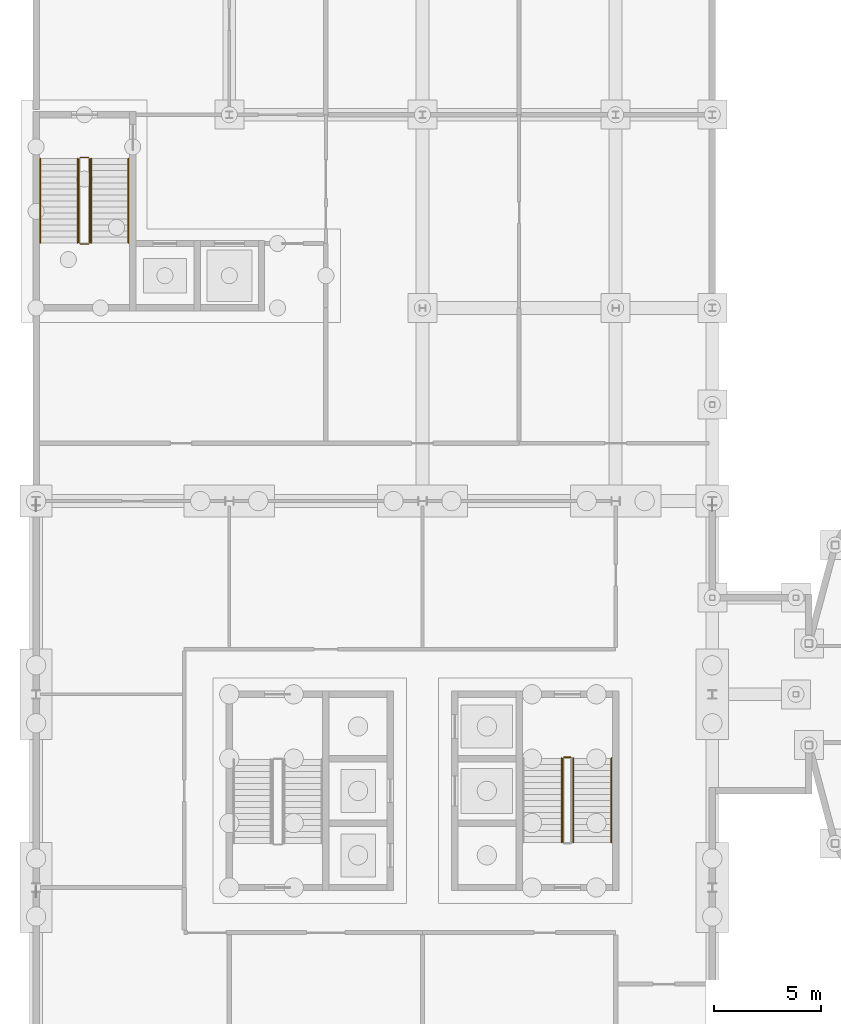
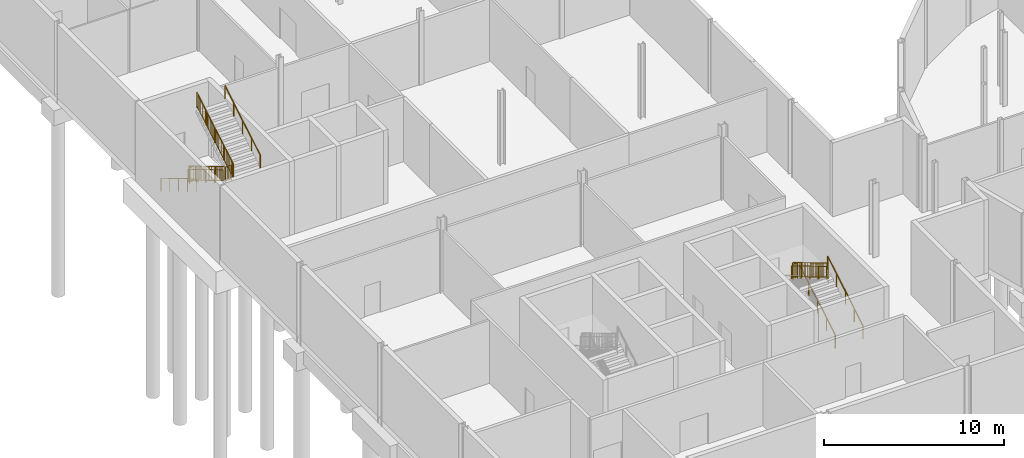
# One storey, part 22 of 25: 13 railings.
"""IFC4 building model written with IfcOpenShell, lengths in metres."""

from ifc_helpers import new_model, si_unit, direction, frame, origin, origin_2d, place, context, subcontext, project, spatial, circle, extrude, material, type_object, element, save


model = new_model("IFC4")

# Units and contexts
model_context = context("Model", 3, precision=1e-05, world=origin(), true_north=direction((0.0, 1.0)))
body_context = subcontext(model_context, "Body", "Model", "MODEL_VIEW")
ifc_project = project(units=[si_unit("LENGTHUNIT", "METRE"), si_unit("AREAUNIT", "SQUARE_METRE"), si_unit("VOLUMEUNIT", "CUBIC_METRE"), si_unit("PLANEANGLEUNIT", "RADIAN"), si_unit("MASSUNIT", "GRAM", prefix="KILO")], contexts=[model_context])

# Site, building, storey
site_placement = place(None, origin())
site = spatial("IfcSite", under=ifc_project, at=site_placement, CompositionType="ELEMENT")
building_placement = place(site_placement, origin())
building = spatial("IfcBuilding", under=site, at=building_placement, Name="Hortulan Conservatory and Botanical Research Centre", CompositionType="ELEMENT")
storey_placement = place(building_placement, frame((0.0, 0.0, -5.0)))
storey = spatial("IfcBuildingStorey", under=building, at=storey_placement, Name="B1", CompositionType="ELEMENT", Elevation=-5.0)

# Railings
ifc_material_1 = material(Name="Steel balustrade, bronze-charcoal paint", Category="steel")
railing_type_1 = type_object("IfcRailingType", Name="Stair Guard 1100", PredefinedType="GUARDRAIL", material=ifc_material_1)
railing_1_placement = place(storey_placement, frame((24.89990234375, 15.070068359375, 2.5)))
element("IfcRailing", 1, at=railing_1_placement, inside=storey, type_object=railing_type_1, Name="Guard T2 B1 stair 2", PredefinedType="GUARDRAIL", context=body_context, shape_type="SweptSolid", body=[
    extrude(circle(Radius=0.02392578125, at=origin_2d()), frame((0.0, 0.0, 1.076171875), z_axis=(-1.0, 0.0, 0.0), x_axis=(0.0, -1.0, 0.0)), (0.0, 0.0, 1.0), 0.2998046875),
    extrude(circle(Radius=0.02392578125, at=origin_2d()), frame((0.0, 0.0, 0.1240234375), z_axis=(-1.0, 0.0, 0.0), x_axis=(0.0, -1.0, 0.0)), (0.0, 0.0, 1.0), 0.2998046875),
    extrude(circle(Radius=0.008056640625, at=origin_2d()), frame((-0.099853515625, 0.0, 0.148193359375)), (0.0, 0.0, 1.0), 0.90380859375),
    extrude(circle(Radius=0.008056640625, at=origin_2d()), frame((-0.199951171875, 0.0, 0.148193359375)), (0.0, 0.0, 1.0), 0.90380859375),
    extrude(circle(Radius=0.02099609375, at=origin_2d()), origin(), (0.0, 0.0, 1.0), 1.052001953125),
    extrude(circle(Radius=0.02099609375, at=origin_2d()), frame((-0.2998046875, 0.0, 0.0)), (0.0, 0.0, 1.0), 1.052001953125),
])
railing_2_placement = place(storey_placement, frame((24.550048828125, 15.02001953125, 2.666748046875)))
element("IfcRailing", 2, at=railing_2_placement, inside=storey, type_object=railing_type_1, Name="Guard T2 B1 stair 3", PredefinedType="GUARDRAIL", context=body_context, shape_type="SweptSolid", body=[
    extrude(circle(Radius=0.02392578125, at=origin_2d()), frame((0.0, 0.0, 1.076171875), z_axis=(0.0, -0.859296244711, 0.511478214419), x_axis=(1.0, 0.0, 0.0)), (0.0, 0.0, 1.0), 4.561767578125),
    extrude(circle(Radius=0.02392578125, at=origin_2d()), frame((0.0, 0.0, 0.1240234375), z_axis=(0.0, -0.859296244711, 0.511478214419), x_axis=(1.0, 0.0, 0.0)), (0.0, 0.0, 1.0), 4.561767578125),
    extrude(circle(Radius=0.008056640625, at=origin_2d()), frame((0.0, -0.09326171875, 0.203857421875)), (0.0, 0.0, 1.0), 0.90380859375),
    extrude(circle(Radius=0.008056640625, at=origin_2d()), frame((0.0, -0.186767578125, 0.25927734375)), (0.0, 0.0, 1.0), 0.90380859375),
    extrude(circle(Radius=0.008056640625, at=origin_2d()), frame((0.0, -0.280029296875, 0.31494140625)), (0.0, 0.0, 1.0), 0.90380859375),
    extrude(circle(Radius=0.008056640625, at=origin_2d()), frame((0.0, -0.373291015625, 0.370361328125)), (0.0, 0.0, 1.0), 0.90380859375),
    extrude(circle(Radius=0.008056640625, at=origin_2d()), frame((0.0, -0.466552734375, 0.426025390625)), (0.0, 0.0, 1.0), 0.90380859375),
    extrude(circle(Radius=0.008056640625, at=origin_2d()), frame((0.0, -0.56005859375, 0.4814453125)), (0.0, 0.0, 1.0), 0.90380859375),
    extrude(circle(Radius=0.008056640625, at=origin_2d()), frame((0.0, -0.6533203125, 0.537109375)), (0.0, 0.0, 1.0), 0.90380859375),
    extrude(circle(Radius=0.008056640625, at=origin_2d()), frame((0.0, -0.74658203125, 0.592529296875)), (0.0, 0.0, 1.0), 0.90380859375),
    extrude(circle(Radius=0.008056640625, at=origin_2d()), frame((0.0, -0.840087890625, 0.648193359375)), (0.0, 0.0, 1.0), 0.90380859375),
    extrude(circle(Radius=0.008056640625, at=origin_2d()), frame((0.0, -0.933349609375, 0.70361328125)), (0.0, 0.0, 1.0), 0.90380859375),
    extrude(circle(Radius=0.008056640625, at=origin_2d()), frame((0.0, -1.026611328125, 0.75927734375)), (0.0, 0.0, 1.0), 0.90380859375),
    extrude(circle(Radius=0.008056640625, at=origin_2d()), frame((0.0, -1.119873046875, 0.81494140625)), (0.0, 0.0, 1.0), 0.90380859375),
    extrude(circle(Radius=0.008056640625, at=origin_2d()), frame((0.0, -1.21337890625, 0.870361328125)), (0.0, 0.0, 1.0), 0.90380859375),
    extrude(circle(Radius=0.008056640625, at=origin_2d()), frame((0.0, -1.306640625, 0.926025390625)), (0.0, 0.0, 1.0), 0.90380859375),
    extrude(circle(Radius=0.008056640625, at=origin_2d()), frame((0.0, -1.39990234375, 0.9814453125)), (0.0, 0.0, 1.0), 0.90380859375),
    extrude(circle(Radius=0.008056640625, at=origin_2d()), frame((0.0, -1.493408203125, 1.037109375)), (0.0, 0.0, 1.0), 0.90380859375),
    extrude(circle(Radius=0.008056640625, at=origin_2d()), frame((0.0, -1.586669921875, 1.092529296875)), (0.0, 0.0, 1.0), 0.90380859375),
    extrude(circle(Radius=0.008056640625, at=origin_2d()), frame((0.0, -1.679931640625, 1.148193359375)), (0.0, 0.0, 1.0), 0.90380859375),
    extrude(circle(Radius=0.008056640625, at=origin_2d()), frame((0.0, -1.773193359375, 1.20361328125)), (0.0, 0.0, 1.0), 0.90380859375),
    extrude(circle(Radius=0.008056640625, at=origin_2d()), frame((0.0, -1.86669921875, 1.25927734375)), (0.0, 0.0, 1.0), 0.90380859375),
    extrude(circle(Radius=0.008056640625, at=origin_2d()), frame((0.0, -1.9599609375, 1.31494140625)), (0.0, 0.0, 1.0), 0.90380859375),
    extrude(circle(Radius=0.008056640625, at=origin_2d()), frame((0.0, -2.05322265625, 1.370361328125)), (0.0, 0.0, 1.0), 0.90380859375),
    extrude(circle(Radius=0.008056640625, at=origin_2d()), frame((0.0, -2.146728515625, 1.426025390625)), (0.0, 0.0, 1.0), 0.90380859375),
    extrude(circle(Radius=0.008056640625, at=origin_2d()), frame((0.0, -2.239990234375, 1.4814453125)), (0.0, 0.0, 1.0), 0.90380859375),
    extrude(circle(Radius=0.008056640625, at=origin_2d()), frame((0.0, -2.333251953125, 1.537109375)), (0.0, 0.0, 1.0), 0.90380859375),
    extrude(circle(Radius=0.008056640625, at=origin_2d()), frame((0.0, -2.426513671875, 1.592529296875)), (0.0, 0.0, 1.0), 0.90380859375),
    extrude(circle(Radius=0.008056640625, at=origin_2d()), frame((0.0, -2.52001953125, 1.648193359375)), (0.0, 0.0, 1.0), 0.90380859375),
    extrude(circle(Radius=0.008056640625, at=origin_2d()), frame((0.0, -2.61328125, 1.70361328125)), (0.0, 0.0, 1.0), 0.90380859375),
    extrude(circle(Radius=0.008056640625, at=origin_2d()), frame((0.0, -2.70654296875, 1.75927734375)), (0.0, 0.0, 1.0), 0.90380859375),
    extrude(circle(Radius=0.008056640625, at=origin_2d()), frame((0.0, -2.800048828125, 1.814697265625)), (0.0, 0.0, 1.0), 0.90380859375),
    extrude(circle(Radius=0.008056640625, at=origin_2d()), frame((0.0, -2.893310546875, 1.870361328125)), (0.0, 0.0, 1.0), 0.90380859375),
    extrude(circle(Radius=0.008056640625, at=origin_2d()), frame((0.0, -2.986572265625, 1.926025390625)), (0.0, 0.0, 1.0), 0.90380859375),
    extrude(circle(Radius=0.008056640625, at=origin_2d()), frame((0.0, -3.079833984375, 1.9814453125)), (0.0, 0.0, 1.0), 0.90380859375),
    extrude(circle(Radius=0.008056640625, at=origin_2d()), frame((0.0, -3.17333984375, 2.037109375)), (0.0, 0.0, 1.0), 0.90380859375),
    extrude(circle(Radius=0.008056640625, at=origin_2d()), frame((0.0, -3.2666015625, 2.092529296875)), (0.0, 0.0, 1.0), 0.90380859375),
    extrude(circle(Radius=0.008056640625, at=origin_2d()), frame((0.0, -3.35986328125, 2.148193359375)), (0.0, 0.0, 1.0), 0.90380859375),
    extrude(circle(Radius=0.008056640625, at=origin_2d()), frame((0.0, -3.453369140625, 2.20361328125)), (0.0, 0.0, 1.0), 0.90380859375),
    extrude(circle(Radius=0.008056640625, at=origin_2d()), frame((0.0, -3.546630859375, 2.25927734375)), (0.0, 0.0, 1.0), 0.90380859375),
    extrude(circle(Radius=0.008056640625, at=origin_2d()), frame((0.0, -3.639892578125, 2.314697265625)), (0.0, 0.0, 1.0), 0.90380859375),
    extrude(circle(Radius=0.008056640625, at=origin_2d()), frame((0.0, -3.733154296875, 2.370361328125)), (0.0, 0.0, 1.0), 0.90380859375),
    extrude(circle(Radius=0.008056640625, at=origin_2d()), frame((0.0, -3.82666015625, 2.42578125)), (0.0, 0.0, 1.0), 0.90380859375),
    extrude(circle(Radius=0.02099609375, at=origin_2d()), origin(), (0.0, 0.0, 1.0), 1.052001953125),
    extrude(circle(Radius=0.02099609375, at=origin_2d()), frame((0.0, -0.97998046875, 0.583251953125)), (0.0, 0.0, 1.0), 1.052001953125),
    extrude(circle(Radius=0.02099609375, at=origin_2d()), frame((0.0, -1.9599609375, 1.16650390625)), (0.0, 0.0, 1.0), 1.052001953125),
    extrude(circle(Radius=0.02099609375, at=origin_2d()), frame((0.0, -2.93994140625, 1.75)), (0.0, 0.0, 1.0), 1.052001953125),
    extrude(circle(Radius=0.02099609375, at=origin_2d()), frame((0.0, -3.919921875, 2.333251953125)), (0.0, 0.0, 1.0), 1.052001953125),
])
railing_3_placement = place(storey_placement, frame((2.0, 42.949951171875, 0.166748046875)))
element("IfcRailing", 3, at=railing_3_placement, inside=storey, type_object=railing_type_1, Name="Guard V1 B1 stair 1", PredefinedType="GUARDRAIL", context=body_context, shape_type="SweptSolid", body=[
    extrude(circle(Radius=0.02392578125, at=origin_2d()), frame((0.0, 0.0, 1.076171875), z_axis=(0.0, -0.859296244711, 0.511478214419), x_axis=(1.0, 0.0, 0.0)), (0.0, 0.0, 1.0), 4.561767578125),
    extrude(circle(Radius=0.02392578125, at=origin_2d()), frame((0.0, 0.0, 0.1240234375), z_axis=(0.0, -0.859296244711, 0.511478214419), x_axis=(1.0, 0.0, 0.0)), (0.0, 0.0, 1.0), 4.561767578125),
    extrude(circle(Radius=0.008056640625, at=origin_2d()), frame((0.0, -0.09326171875, 0.203857421875)), (0.0, 0.0, 1.0), 0.90380859375),
    extrude(circle(Radius=0.008056640625, at=origin_2d()), frame((0.0, -0.186767578125, 0.25927734375)), (0.0, 0.0, 1.0), 0.90380859375),
    extrude(circle(Radius=0.008056640625, at=origin_2d()), frame((0.0, -0.280029296875, 0.31494140625)), (0.0, 0.0, 1.0), 0.90380859375),
    extrude(circle(Radius=0.008056640625, at=origin_2d()), frame((0.0, -0.373291015625, 0.370361328125)), (0.0, 0.0, 1.0), 0.90380859375),
    extrude(circle(Radius=0.008056640625, at=origin_2d()), frame((0.0, -0.466552734375, 0.426025390625)), (0.0, 0.0, 1.0), 0.90380859375),
    extrude(circle(Radius=0.008056640625, at=origin_2d()), frame((0.0, -0.56005859375, 0.4814453125)), (0.0, 0.0, 1.0), 0.90380859375),
    extrude(circle(Radius=0.008056640625, at=origin_2d()), frame((0.0, -0.6533203125, 0.537109375)), (0.0, 0.0, 1.0), 0.90380859375),
    extrude(circle(Radius=0.008056640625, at=origin_2d()), frame((0.0, -0.74658203125, 0.592529296875)), (0.0, 0.0, 1.0), 0.90380859375),
    extrude(circle(Radius=0.008056640625, at=origin_2d()), frame((0.0, -0.840087890625, 0.648193359375)), (0.0, 0.0, 1.0), 0.90380859375),
    extrude(circle(Radius=0.008056640625, at=origin_2d()), frame((0.0, -0.933349609375, 0.70361328125)), (0.0, 0.0, 1.0), 0.90380859375),
    extrude(circle(Radius=0.008056640625, at=origin_2d()), frame((0.0, -1.026611328125, 0.75927734375)), (0.0, 0.0, 1.0), 0.90380859375),
    extrude(circle(Radius=0.008056640625, at=origin_2d()), frame((0.0, -1.119873046875, 0.81494140625)), (0.0, 0.0, 1.0), 0.90380859375),
    extrude(circle(Radius=0.008056640625, at=origin_2d()), frame((0.0, -1.21337890625, 0.870361328125)), (0.0, 0.0, 1.0), 0.90380859375),
    extrude(circle(Radius=0.008056640625, at=origin_2d()), frame((0.0, -1.306640625, 0.926025390625)), (0.0, 0.0, 1.0), 0.90380859375),
    extrude(circle(Radius=0.008056640625, at=origin_2d()), frame((0.0, -1.39990234375, 0.9814453125)), (0.0, 0.0, 1.0), 0.90380859375),
    extrude(circle(Radius=0.008056640625, at=origin_2d()), frame((0.0, -1.493408203125, 1.037109375)), (0.0, 0.0, 1.0), 0.90380859375),
    extrude(circle(Radius=0.008056640625, at=origin_2d()), frame((0.0, -1.586669921875, 1.092529296875)), (0.0, 0.0, 1.0), 0.90380859375),
    extrude(circle(Radius=0.008056640625, at=origin_2d()), frame((0.0, -1.679931640625, 1.148193359375)), (0.0, 0.0, 1.0), 0.90380859375),
    extrude(circle(Radius=0.008056640625, at=origin_2d()), frame((0.0, -1.773193359375, 1.20361328125)), (0.0, 0.0, 1.0), 0.90380859375),
    extrude(circle(Radius=0.008056640625, at=origin_2d()), frame((0.0, -1.86669921875, 1.25927734375)), (0.0, 0.0, 1.0), 0.90380859375),
    extrude(circle(Radius=0.008056640625, at=origin_2d()), frame((0.0, -1.9599609375, 1.31494140625)), (0.0, 0.0, 1.0), 0.90380859375),
    extrude(circle(Radius=0.008056640625, at=origin_2d()), frame((0.0, -2.05322265625, 1.370361328125)), (0.0, 0.0, 1.0), 0.90380859375),
    extrude(circle(Radius=0.008056640625, at=origin_2d()), frame((0.0, -2.146728515625, 1.426025390625)), (0.0, 0.0, 1.0), 0.90380859375),
    extrude(circle(Radius=0.008056640625, at=origin_2d()), frame((0.0, -2.239990234375, 1.4814453125)), (0.0, 0.0, 1.0), 0.90380859375),
    extrude(circle(Radius=0.008056640625, at=origin_2d()), frame((0.0, -2.333251953125, 1.537109375)), (0.0, 0.0, 1.0), 0.90380859375),
    extrude(circle(Radius=0.008056640625, at=origin_2d()), frame((0.0, -2.426513671875, 1.592529296875)), (0.0, 0.0, 1.0), 0.90380859375),
    extrude(circle(Radius=0.008056640625, at=origin_2d()), frame((0.0, -2.52001953125, 1.648193359375)), (0.0, 0.0, 1.0), 0.90380859375),
    extrude(circle(Radius=0.008056640625, at=origin_2d()), frame((0.0, -2.61328125, 1.70361328125)), (0.0, 0.0, 1.0), 0.90380859375),
    extrude(circle(Radius=0.008056640625, at=origin_2d()), frame((0.0, -2.70654296875, 1.75927734375)), (0.0, 0.0, 1.0), 0.90380859375),
    extrude(circle(Radius=0.008056640625, at=origin_2d()), frame((0.0, -2.800048828125, 1.814697265625)), (0.0, 0.0, 1.0), 0.90380859375),
    extrude(circle(Radius=0.008056640625, at=origin_2d()), frame((0.0, -2.893310546875, 1.870361328125)), (0.0, 0.0, 1.0), 0.90380859375),
    extrude(circle(Radius=0.008056640625, at=origin_2d()), frame((0.0, -2.986572265625, 1.926025390625)), (0.0, 0.0, 1.0), 0.90380859375),
    extrude(circle(Radius=0.008056640625, at=origin_2d()), frame((0.0, -3.079833984375, 1.9814453125)), (0.0, 0.0, 1.0), 0.90380859375),
    extrude(circle(Radius=0.008056640625, at=origin_2d()), frame((0.0, -3.17333984375, 2.037109375)), (0.0, 0.0, 1.0), 0.90380859375),
    extrude(circle(Radius=0.008056640625, at=origin_2d()), frame((0.0, -3.2666015625, 2.092529296875)), (0.0, 0.0, 1.0), 0.90380859375),
    extrude(circle(Radius=0.008056640625, at=origin_2d()), frame((0.0, -3.35986328125, 2.148193359375)), (0.0, 0.0, 1.0), 0.90380859375),
    extrude(circle(Radius=0.008056640625, at=origin_2d()), frame((0.0, -3.453369140625, 2.20361328125)), (0.0, 0.0, 1.0), 0.90380859375),
    extrude(circle(Radius=0.008056640625, at=origin_2d()), frame((0.0, -3.546630859375, 2.25927734375)), (0.0, 0.0, 1.0), 0.90380859375),
    extrude(circle(Radius=0.008056640625, at=origin_2d()), frame((0.0, -3.639892578125, 2.314697265625)), (0.0, 0.0, 1.0), 0.90380859375),
    extrude(circle(Radius=0.008056640625, at=origin_2d()), frame((0.0, -3.733154296875, 2.370361328125)), (0.0, 0.0, 1.0), 0.90380859375),
    extrude(circle(Radius=0.008056640625, at=origin_2d()), frame((0.0, -3.82666015625, 2.42578125)), (0.0, 0.0, 1.0), 0.90380859375),
    extrude(circle(Radius=0.02099609375, at=origin_2d()), origin(), (0.0, 0.0, 1.0), 1.052001953125),
    extrude(circle(Radius=0.02099609375, at=origin_2d()), frame((0.0, -0.97998046875, 0.583251953125)), (0.0, 0.0, 1.0), 1.052001953125),
    extrude(circle(Radius=0.02099609375, at=origin_2d()), frame((0.0, -1.9599609375, 1.16650390625)), (0.0, 0.0, 1.0), 1.052001953125),
    extrude(circle(Radius=0.02099609375, at=origin_2d()), frame((0.0, -2.93994140625, 1.75)), (0.0, 0.0, 1.0), 1.052001953125),
    extrude(circle(Radius=0.02099609375, at=origin_2d()), frame((0.0, -3.919921875, 2.333251953125)), (0.0, 0.0, 1.0), 1.052001953125),
])
railing_4_placement = place(storey_placement, frame((2.050048828125, 38.97998046875, 2.5)))
element("IfcRailing", 4, at=railing_4_placement, inside=storey, type_object=railing_type_1, Name="Guard V1 B1 stair 2", PredefinedType="GUARDRAIL", context=body_context, shape_type="SweptSolid", body=[
    extrude(circle(Radius=0.02392578125, at=origin_2d()), frame((0.0, 0.0, 1.076171875), z_axis=(1.0, 0.0, 0.0), x_axis=(0.0, 1.0, 0.0)), (0.0, 0.0, 1.0), 0.39990234375),
    extrude(circle(Radius=0.02392578125, at=origin_2d()), frame((0.0, 0.0, 0.1240234375), z_axis=(1.0, 0.0, 0.0), x_axis=(0.0, 1.0, 0.0)), (0.0, 0.0, 1.0), 0.39990234375),
    extrude(circle(Radius=0.008056640625, at=origin_2d()), frame((0.10009765625, 0.0, 0.148193359375)), (0.0, 0.0, 1.0), 0.90380859375),
    extrude(circle(Radius=0.008056640625, at=origin_2d()), frame((0.199951171875, 0.0, 0.148193359375)), (0.0, 0.0, 1.0), 0.90380859375),
    extrude(circle(Radius=0.008056640625, at=origin_2d()), frame((0.2998046875, 0.0, 0.148193359375)), (0.0, 0.0, 1.0), 0.90380859375),
    extrude(circle(Radius=0.02099609375, at=origin_2d()), origin(), (0.0, 0.0, 1.0), 1.052001953125),
    extrude(circle(Radius=0.02099609375, at=origin_2d()), frame((0.39990234375, 0.0, 0.0)), (0.0, 0.0, 1.0), 1.052001953125),
])
railing_5_placement = place(storey_placement, frame((2.5, 39.030029296875, 2.666748046875)))
element("IfcRailing", 5, at=railing_5_placement, inside=storey, type_object=railing_type_1, Name="Guard V1 B1 stair 3", PredefinedType="GUARDRAIL", context=body_context, shape_type="SweptSolid", body=[
    extrude(circle(Radius=0.02392578125, at=origin_2d()), frame((0.0, 0.0, 1.076171875), z_axis=(0.0, 0.859296244711, 0.511478214419), x_axis=(-1.0, 0.0, 0.0)), (0.0, 0.0, 1.0), 4.561767578125),
    extrude(circle(Radius=0.02392578125, at=origin_2d()), frame((0.0, 0.0, 0.1240234375), z_axis=(0.0, 0.859296244711, 0.511478214419), x_axis=(-1.0, 0.0, 0.0)), (0.0, 0.0, 1.0), 4.561767578125),
    extrude(circle(Radius=0.008056640625, at=origin_2d()), frame((0.0, 0.09326171875, 0.203857421875)), (0.0, 0.0, 1.0), 0.90380859375),
    extrude(circle(Radius=0.008056640625, at=origin_2d()), frame((0.0, 0.186767578125, 0.25927734375)), (0.0, 0.0, 1.0), 0.90380859375),
    extrude(circle(Radius=0.008056640625, at=origin_2d()), frame((0.0, 0.280029296875, 0.31494140625)), (0.0, 0.0, 1.0), 0.90380859375),
    extrude(circle(Radius=0.008056640625, at=origin_2d()), frame((0.0, 0.373291015625, 0.370361328125)), (0.0, 0.0, 1.0), 0.90380859375),
    extrude(circle(Radius=0.008056640625, at=origin_2d()), frame((0.0, 0.466552734375, 0.426025390625)), (0.0, 0.0, 1.0), 0.90380859375),
    extrude(circle(Radius=0.008056640625, at=origin_2d()), frame((0.0, 0.56005859375, 0.4814453125)), (0.0, 0.0, 1.0), 0.90380859375),
    extrude(circle(Radius=0.008056640625, at=origin_2d()), frame((0.0, 0.6533203125, 0.537109375)), (0.0, 0.0, 1.0), 0.90380859375),
    extrude(circle(Radius=0.008056640625, at=origin_2d()), frame((0.0, 0.74658203125, 0.592529296875)), (0.0, 0.0, 1.0), 0.90380859375),
    extrude(circle(Radius=0.008056640625, at=origin_2d()), frame((0.0, 0.840087890625, 0.648193359375)), (0.0, 0.0, 1.0), 0.90380859375),
    extrude(circle(Radius=0.008056640625, at=origin_2d()), frame((0.0, 0.933349609375, 0.70361328125)), (0.0, 0.0, 1.0), 0.90380859375),
    extrude(circle(Radius=0.008056640625, at=origin_2d()), frame((0.0, 1.026611328125, 0.75927734375)), (0.0, 0.0, 1.0), 0.90380859375),
    extrude(circle(Radius=0.008056640625, at=origin_2d()), frame((0.0, 1.119873046875, 0.81494140625)), (0.0, 0.0, 1.0), 0.90380859375),
    extrude(circle(Radius=0.008056640625, at=origin_2d()), frame((0.0, 1.21337890625, 0.870361328125)), (0.0, 0.0, 1.0), 0.90380859375),
    extrude(circle(Radius=0.008056640625, at=origin_2d()), frame((0.0, 1.306640625, 0.926025390625)), (0.0, 0.0, 1.0), 0.90380859375),
    extrude(circle(Radius=0.008056640625, at=origin_2d()), frame((0.0, 1.39990234375, 0.9814453125)), (0.0, 0.0, 1.0), 0.90380859375),
    extrude(circle(Radius=0.008056640625, at=origin_2d()), frame((0.0, 1.493408203125, 1.037109375)), (0.0, 0.0, 1.0), 0.90380859375),
    extrude(circle(Radius=0.008056640625, at=origin_2d()), frame((0.0, 1.586669921875, 1.092529296875)), (0.0, 0.0, 1.0), 0.90380859375),
    extrude(circle(Radius=0.008056640625, at=origin_2d()), frame((0.0, 1.679931640625, 1.148193359375)), (0.0, 0.0, 1.0), 0.90380859375),
    extrude(circle(Radius=0.008056640625, at=origin_2d()), frame((0.0, 1.773193359375, 1.20361328125)), (0.0, 0.0, 1.0), 0.90380859375),
    extrude(circle(Radius=0.008056640625, at=origin_2d()), frame((0.0, 1.86669921875, 1.25927734375)), (0.0, 0.0, 1.0), 0.90380859375),
    extrude(circle(Radius=0.008056640625, at=origin_2d()), frame((0.0, 1.9599609375, 1.31494140625)), (0.0, 0.0, 1.0), 0.90380859375),
    extrude(circle(Radius=0.008056640625, at=origin_2d()), frame((0.0, 2.05322265625, 1.370361328125)), (0.0, 0.0, 1.0), 0.90380859375),
    extrude(circle(Radius=0.008056640625, at=origin_2d()), frame((0.0, 2.146728515625, 1.426025390625)), (0.0, 0.0, 1.0), 0.90380859375),
    extrude(circle(Radius=0.008056640625, at=origin_2d()), frame((0.0, 2.239990234375, 1.4814453125)), (0.0, 0.0, 1.0), 0.90380859375),
    extrude(circle(Radius=0.008056640625, at=origin_2d()), frame((0.0, 2.333251953125, 1.537109375)), (0.0, 0.0, 1.0), 0.90380859375),
    extrude(circle(Radius=0.008056640625, at=origin_2d()), frame((0.0, 2.426513671875, 1.592529296875)), (0.0, 0.0, 1.0), 0.90380859375),
    extrude(circle(Radius=0.008056640625, at=origin_2d()), frame((0.0, 2.52001953125, 1.648193359375)), (0.0, 0.0, 1.0), 0.90380859375),
    extrude(circle(Radius=0.008056640625, at=origin_2d()), frame((0.0, 2.61328125, 1.70361328125)), (0.0, 0.0, 1.0), 0.90380859375),
    extrude(circle(Radius=0.008056640625, at=origin_2d()), frame((0.0, 2.70654296875, 1.75927734375)), (0.0, 0.0, 1.0), 0.90380859375),
    extrude(circle(Radius=0.008056640625, at=origin_2d()), frame((0.0, 2.800048828125, 1.814697265625)), (0.0, 0.0, 1.0), 0.90380859375),
    extrude(circle(Radius=0.008056640625, at=origin_2d()), frame((0.0, 2.893310546875, 1.870361328125)), (0.0, 0.0, 1.0), 0.90380859375),
    extrude(circle(Radius=0.008056640625, at=origin_2d()), frame((0.0, 2.986572265625, 1.926025390625)), (0.0, 0.0, 1.0), 0.90380859375),
    extrude(circle(Radius=0.008056640625, at=origin_2d()), frame((0.0, 3.079833984375, 1.9814453125)), (0.0, 0.0, 1.0), 0.90380859375),
    extrude(circle(Radius=0.008056640625, at=origin_2d()), frame((0.0, 3.17333984375, 2.037109375)), (0.0, 0.0, 1.0), 0.90380859375),
    extrude(circle(Radius=0.008056640625, at=origin_2d()), frame((0.0, 3.2666015625, 2.092529296875)), (0.0, 0.0, 1.0), 0.90380859375),
    extrude(circle(Radius=0.008056640625, at=origin_2d()), frame((0.0, 3.35986328125, 2.148193359375)), (0.0, 0.0, 1.0), 0.90380859375),
    extrude(circle(Radius=0.008056640625, at=origin_2d()), frame((0.0, 3.453369140625, 2.20361328125)), (0.0, 0.0, 1.0), 0.90380859375),
    extrude(circle(Radius=0.008056640625, at=origin_2d()), frame((0.0, 3.546630859375, 2.25927734375)), (0.0, 0.0, 1.0), 0.90380859375),
    extrude(circle(Radius=0.008056640625, at=origin_2d()), frame((0.0, 3.639892578125, 2.314697265625)), (0.0, 0.0, 1.0), 0.90380859375),
    extrude(circle(Radius=0.008056640625, at=origin_2d()), frame((0.0, 3.733154296875, 2.370361328125)), (0.0, 0.0, 1.0), 0.90380859375),
    extrude(circle(Radius=0.008056640625, at=origin_2d()), frame((0.0, 3.82666015625, 2.42578125)), (0.0, 0.0, 1.0), 0.90380859375),
    extrude(circle(Radius=0.02099609375, at=origin_2d()), origin(), (0.0, 0.0, 1.0), 1.052001953125),
    extrude(circle(Radius=0.02099609375, at=origin_2d()), frame((0.0, 0.97998046875, 0.583251953125)), (0.0, 0.0, 1.0), 1.052001953125),
    extrude(circle(Radius=0.02099609375, at=origin_2d()), frame((0.0, 1.9599609375, 1.16650390625)), (0.0, 0.0, 1.0), 1.052001953125),
    extrude(circle(Radius=0.02099609375, at=origin_2d()), frame((0.0, 2.93994140625, 1.75)), (0.0, 0.0, 1.0), 1.052001953125),
    extrude(circle(Radius=0.02099609375, at=origin_2d()), frame((0.0, 3.919921875, 2.333251953125)), (0.0, 0.0, 1.0), 1.052001953125),
])
railing_6_placement = place(storey_placement, frame((2.050048828125, 43.0, 0.0)))
element("IfcRailing", 6, at=railing_6_placement, inside=storey, type_object=railing_type_1, Name="Guard V1 B1 stair 4", PredefinedType="GUARDRAIL", context=body_context, shape_type="SweptSolid", body=[
    extrude(circle(Radius=0.02392578125, at=origin_2d()), frame((0.0, 0.0, 1.076171875), z_axis=(1.0, 0.0, 0.0), x_axis=(0.0, 1.0, 0.0)), (0.0, 0.0, 1.0), 0.39990234375),
    extrude(circle(Radius=0.02392578125, at=origin_2d()), frame((0.0, 0.0, 0.1240234375), z_axis=(1.0, 0.0, 0.0), x_axis=(0.0, 1.0, 0.0)), (0.0, 0.0, 1.0), 0.39990234375),
    extrude(circle(Radius=0.008056640625, at=origin_2d()), frame((0.10009765625, 0.0, 0.148193359375)), (0.0, 0.0, 1.0), 0.90380859375),
    extrude(circle(Radius=0.008056640625, at=origin_2d()), frame((0.199951171875, 0.0, 0.148193359375)), (0.0, 0.0, 1.0), 0.90380859375),
    extrude(circle(Radius=0.008056640625, at=origin_2d()), frame((0.2998046875, 0.0, 0.148193359375)), (0.0, 0.0, 1.0), 0.90380859375),
    extrude(circle(Radius=0.02099609375, at=origin_2d()), origin(), (0.0, 0.0, 1.0), 1.052001953125),
    extrude(circle(Radius=0.02099609375, at=origin_2d()), frame((0.39990234375, 0.0, 0.0)), (0.0, 0.0, 1.0), 1.052001953125),
])
ifc_material_2 = material(Name="Bronze handrail, polished", Category="metal")
railing_type_2 = type_object("IfcRailingType", Name="Stair Handrail 900", PredefinedType="HANDRAIL", material=ifc_material_2)
for number, where, name in (
    (7, (26.800048828125, 11.10009765625, 0.166748046875), "Handrail T2 B1 stair 1"),
    (8, (25.02001953125, 11.10009765625, 0.166748046875), "Handrail T2 B1 stair 3"),
):
    element("IfcRailing", number, at=place(storey_placement, frame(where)), inside=storey, type_object=railing_type_2, Name=name, PredefinedType="HANDRAIL", context=body_context, shape_type="SweptSolid", body=[
        extrude(circle(Radius=0.02392578125, at=origin_2d()), frame((0.0, 0.0, 0.8759765625), z_axis=(0.0, 0.859296244711, 0.511478214419), x_axis=(-1.0, 0.0, 0.0)), (0.0, 0.0, 1.0), 4.561767578125),
        extrude(circle(Radius=0.02099609375, at=origin_2d()), origin(), (0.0, 0.0, 1.0), 0.851806640625),
        extrude(circle(Radius=0.02099609375, at=origin_2d()), frame((0.0, 0.97998046875, 0.583251953125)), (0.0, 0.0, 1.0), 0.851806640625),
        extrude(circle(Radius=0.02099609375, at=origin_2d()), frame((0.0, 1.9599609375, 1.16650390625)), (0.0, 0.0, 1.0), 0.851806640625),
        extrude(circle(Radius=0.02099609375, at=origin_2d()), frame((0.0, 2.93994140625, 1.75)), (0.0, 0.0, 1.0), 0.851806640625),
        extrude(circle(Radius=0.02099609375, at=origin_2d()), frame((0.0, 3.919921875, 2.333251953125)), (0.0, 0.0, 1.0), 0.851806640625),
    ])
for number, where, name in (
    (9, (24.47998046875, 15.02001953125, 2.666748046875), "Handrail T2 B1 stair 4"),
    (10, (0.199951171875, 42.949951171875, 0.166748046875), "Handrail V1 B1 stair 1"),
):
    element("IfcRailing", number, at=place(storey_placement, frame(where)), inside=storey, type_object=railing_type_2, Name=name, PredefinedType="HANDRAIL", context=body_context, shape_type="SweptSolid", body=[
        extrude(circle(Radius=0.02392578125, at=origin_2d()), frame((0.0, 0.0, 0.8759765625), z_axis=(0.0, -0.859296244711, 0.511478214419), x_axis=(1.0, 0.0, 0.0)), (0.0, 0.0, 1.0), 4.561767578125),
        extrude(circle(Radius=0.02099609375, at=origin_2d()), origin(), (0.0, 0.0, 1.0), 0.851806640625),
        extrude(circle(Radius=0.02099609375, at=origin_2d()), frame((0.0, -0.97998046875, 0.583251953125)), (0.0, 0.0, 1.0), 0.851806640625),
        extrude(circle(Radius=0.02099609375, at=origin_2d()), frame((0.0, -1.9599609375, 1.16650390625)), (0.0, 0.0, 1.0), 0.851806640625),
        extrude(circle(Radius=0.02099609375, at=origin_2d()), frame((0.0, -2.93994140625, 1.75)), (0.0, 0.0, 1.0), 0.851806640625),
        extrude(circle(Radius=0.02099609375, at=origin_2d()), frame((0.0, -3.919921875, 2.333251953125)), (0.0, 0.0, 1.0), 0.851806640625),
    ])
railing_7_placement = place(storey_placement, frame((4.300048828125, 39.030029296875, 2.666748046875)))
element("IfcRailing", 11, at=railing_7_placement, inside=storey, type_object=railing_type_2, Name="Handrail V1 B1 stair 2", PredefinedType="HANDRAIL", context=body_context, shape_type="SweptSolid", body=[
    extrude(circle(Radius=0.02392578125, at=origin_2d()), frame((0.0, 0.0, 0.8759765625), z_axis=(0.0, 0.859296244711, 0.511478214419), x_axis=(-1.0, 0.0, 0.0)), (0.0, 0.0, 1.0), 4.561767578125),
    extrude(circle(Radius=0.02099609375, at=origin_2d()), origin(), (0.0, 0.0, 1.0), 0.851806640625),
    extrude(circle(Radius=0.02099609375, at=origin_2d()), frame((0.0, 0.97998046875, 0.583251953125)), (0.0, 0.0, 1.0), 0.851806640625),
    extrude(circle(Radius=0.02099609375, at=origin_2d()), frame((0.0, 1.9599609375, 1.16650390625)), (0.0, 0.0, 1.0), 0.851806640625),
    extrude(circle(Radius=0.02099609375, at=origin_2d()), frame((0.0, 2.93994140625, 1.75)), (0.0, 0.0, 1.0), 0.851806640625),
    extrude(circle(Radius=0.02099609375, at=origin_2d()), frame((0.0, 3.919921875, 2.333251953125)), (0.0, 0.0, 1.0), 0.851806640625),
])
railing_8_placement = place(storey_placement, frame((1.929931640625, 42.949951171875, 0.166748046875)))
element("IfcRailing", 12, at=railing_8_placement, inside=storey, type_object=railing_type_2, Name="Handrail V1 B1 stair 3", PredefinedType="HANDRAIL", context=body_context, shape_type="SweptSolid", body=[
    extrude(circle(Radius=0.02392578125, at=origin_2d()), frame((0.0, 0.0, 0.8759765625), z_axis=(0.0, -0.859296244711, 0.511478214419), x_axis=(1.0, 0.0, 0.0)), (0.0, 0.0, 1.0), 4.561767578125),
    extrude(circle(Radius=0.02099609375, at=origin_2d()), origin(), (0.0, 0.0, 1.0), 0.851806640625),
    extrude(circle(Radius=0.02099609375, at=origin_2d()), frame((0.0, -0.97998046875, 0.583251953125)), (0.0, 0.0, 1.0), 0.851806640625),
    extrude(circle(Radius=0.02099609375, at=origin_2d()), frame((0.0, -1.9599609375, 1.16650390625)), (0.0, 0.0, 1.0), 0.851806640625),
    extrude(circle(Radius=0.02099609375, at=origin_2d()), frame((0.0, -2.93994140625, 1.75)), (0.0, 0.0, 1.0), 0.851806640625),
    extrude(circle(Radius=0.02099609375, at=origin_2d()), frame((0.0, -3.919921875, 2.333251953125)), (0.0, 0.0, 1.0), 0.851806640625),
])
railing_9_placement = place(storey_placement, frame((2.570068359375, 39.030029296875, 2.666748046875)))
element("IfcRailing", 13, at=railing_9_placement, inside=storey, type_object=railing_type_2, Name="Handrail V1 B1 stair 4", PredefinedType="HANDRAIL", context=body_context, shape_type="SweptSolid", body=[
    extrude(circle(Radius=0.02392578125, at=origin_2d()), frame((0.0, 0.0, 0.8759765625), z_axis=(0.0, 0.859296244711, 0.511478214419), x_axis=(-1.0, 0.0, 0.0)), (0.0, 0.0, 1.0), 4.561767578125),
    extrude(circle(Radius=0.02099609375, at=origin_2d()), origin(), (0.0, 0.0, 1.0), 0.851806640625),
    extrude(circle(Radius=0.02099609375, at=origin_2d()), frame((0.0, 0.97998046875, 0.583251953125)), (0.0, 0.0, 1.0), 0.851806640625),
    extrude(circle(Radius=0.02099609375, at=origin_2d()), frame((0.0, 1.9599609375, 1.16650390625)), (0.0, 0.0, 1.0), 0.851806640625),
    extrude(circle(Radius=0.02099609375, at=origin_2d()), frame((0.0, 2.93994140625, 1.75)), (0.0, 0.0, 1.0), 0.851806640625),
    extrude(circle(Radius=0.02099609375, at=origin_2d()), frame((0.0, 3.919921875, 2.333251953125)), (0.0, 0.0, 1.0), 0.851806640625),
])

save(model, "model.ifc")
